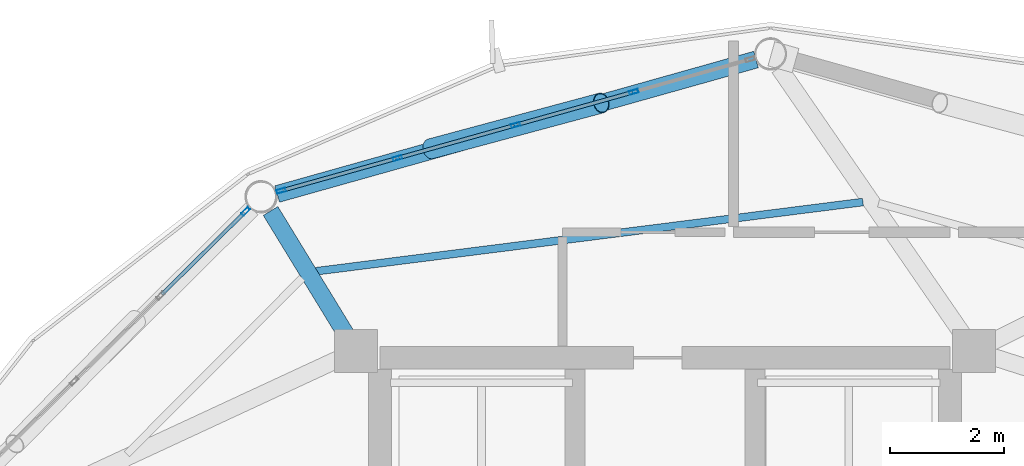
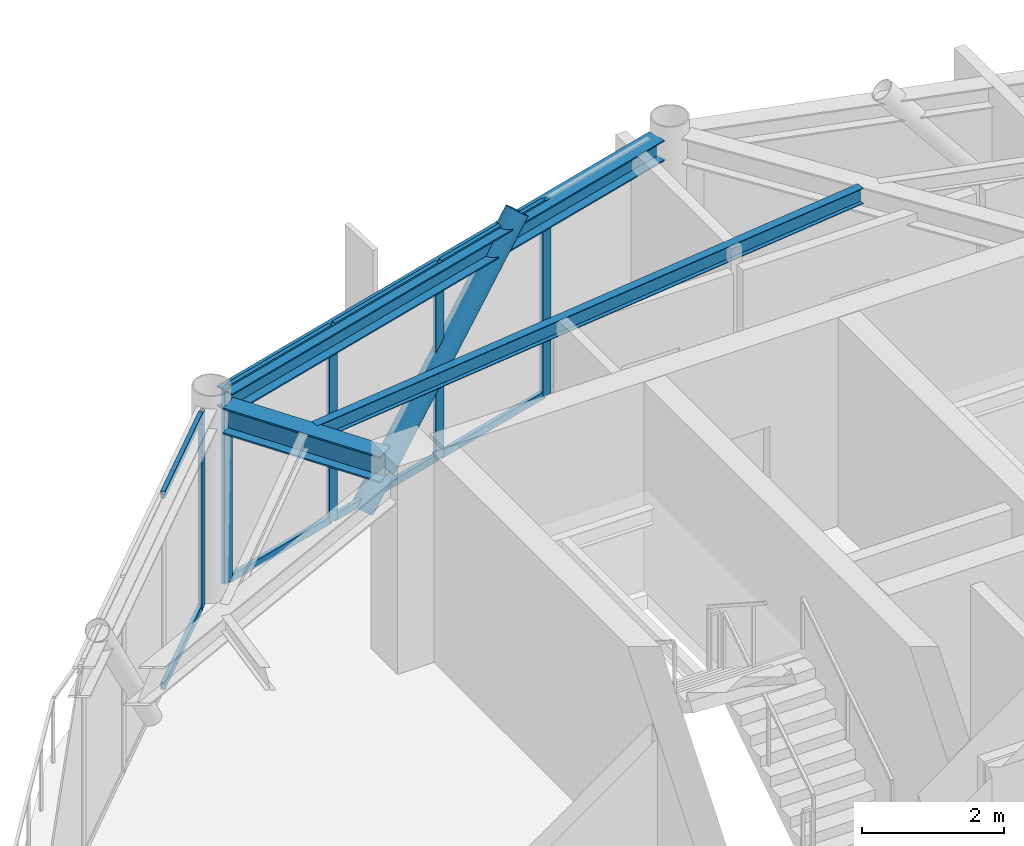
# One storey, part 16 of 24: 14 members, 3 beams, 2 elements without a shape of their own.
"""IFC4 building model written with IfcOpenShell, lengths in metres."""

from ifc_helpers import new_model, si_unit, direction, frame, origin, origin_2d, place, context, subcontext, project, spatial, hollow_rectangle, hollow_circle, i_section, extrude, material, layer, layer_set, material_profile, profile_set, type_object, element, aggregate, save


model = new_model("IFC4")

# Units and contexts
model_context = context("Model", 3, precision=1e-05, world=origin(), true_north=direction((0.0, 1.0)))
body_context = subcontext(model_context, "Body", "Model", "MODEL_VIEW")
ifc_project = project(units=[si_unit("LENGTHUNIT", "METRE"), si_unit("AREAUNIT", "SQUARE_METRE"), si_unit("VOLUMEUNIT", "CUBIC_METRE"), si_unit("PLANEANGLEUNIT", "RADIAN"), si_unit("MASSUNIT", "GRAM", prefix="KILO")], contexts=[model_context])

# Site, building, storey
site_placement = place(None, origin())
site = spatial("IfcSite", under=ifc_project, at=site_placement, CompositionType="ELEMENT")
building_placement = place(site_placement, origin())
building = spatial("IfcBuilding", under=site, at=building_placement, Name="Varnakorn Sky Granary", CompositionType="ELEMENT")
storey_placement = place(building_placement, frame((0.0, 0.0, 274.199951171875)))
storey = spatial("IfcBuildingStorey", under=building, at=storey_placement, Name="L70", CompositionType="ELEMENT", Elevation=274.199951171875)

# Beams
ifc_material_1 = material(Name="Steel S355JR", Category="steel")
ifc_material_profile_1 = material_profile(ifc_material_1, i_section(OverallWidth=0.300048828125, OverallDepth=0.449951171875, WebThickness=0.013916015625, FlangeThickness=0.02587890625, at=origin_2d()), Name="HE 450 B")
ifc_profile_set_1 = profile_set([ifc_material_profile_1], Name="Steel S355JR")
beam_type_1 = type_object("IfcBeamType", Name="BM-RAD-Z5", PredefinedType="BEAM", material=ifc_profile_set_1)
beam_1_placement = place(storey_placement, frame((-2.605224609375, 12.9228515625, 3.135009765625), z_axis=(-0.521681016606, 0.85314061966, 0.0), x_axis=(-0.85314061966, -0.521681016606, 0.0)))
element("IfcBeam", 1, at=beam_1_placement, inside=storey, type_object=beam_type_1, Name="Radial Floor Girder RG05 L70", PredefinedType="BEAM", context=body_context, shape_type="SweptSolid", body=[
    extrude(i_section(OverallWidth=0.300048828125, OverallDepth=0.449951171875, WebThickness=0.013916015625, FlangeThickness=0.02587890625, at=origin_2d()), origin(), (0.0, 0.0, 1.0), 2.52197265625),
])
ifc_material_profile_2 = material_profile(ifc_material_1, i_section(OverallWidth=0.135009765625, OverallDepth=0.27001953125, WebThickness=0.006591796875, FlangeThickness=0.01025390625, at=origin_2d()), Name="IPE 270")
ifc_profile_set_2 = profile_set([ifc_material_profile_2], Name="Steel S355JR")
beam_type_2 = type_object("IfcBeamType", Name="BM-SEC-Z5", PredefinedType="BEAM", material=ifc_profile_set_2)
beam_2_placement = place(storey_placement, frame((6.470458984375, 15.230712890625, 3.22509765625), z_axis=(-0.992085622315, -0.125563203191, 0.0), x_axis=(0.125563203191, -0.992085622315, 0.0)))
element("IfcBeam", 2, at=beam_2_placement, inside=storey, type_object=beam_type_2, Name="Secondary Floor Chord Beam MSB04 L70", PredefinedType="BEAM", context=body_context, shape_type="SweptSolid", body=[
    extrude(i_section(OverallWidth=0.135009765625, OverallDepth=0.27001953125, WebThickness=0.006591796875, FlangeThickness=0.01025390625, at=origin_2d()), origin(), (0.0, 0.0, 1.0), 9.67138671875),
])
ifc_material_profile_3 = material_profile(ifc_material_1, i_section(OverallWidth=0.300048828125, OverallDepth=0.360107421875, WebThickness=0.012451171875, FlangeThickness=0.0224609375, at=origin_2d()), Name="HE 360 B")
ifc_profile_set_3 = profile_set([ifc_material_profile_3], Name="Steel S355JR")
beam_type_3 = type_object("IfcBeamType", Name="BM-SPD-Z5", PredefinedType="SPANDREL", material=ifc_profile_set_3)
beam_3_placement = place(storey_placement, frame((4.595458984375, 17.73046875, 3.179931640625), z_axis=(-0.962757982461, -0.270364692976, 0.0), x_axis=(0.270364692976, -0.962757982461, 0.0)))
element("IfcBeam", 3, at=beam_3_placement, inside=storey, type_object=beam_type_3, Name="Perimeter Spandrel Ring Beam RB04 L70", PredefinedType="SPANDREL", context=body_context, shape_type="SweptSolid", body=[
    extrude(i_section(OverallWidth=0.300048828125, OverallDepth=0.360107421875, WebThickness=0.012451171875, FlangeThickness=0.0224609375, at=origin_2d()), origin(), (0.0, 0.0, 1.0), 8.724853515625),
])

# Curtain wall, members
ifc_material_2 = material(Name="Anodised Bronze Aluminium Alloy 6063-T6", Category="aluminium")
ifc_layer = layer(ifc_material_2, 0.159912109375, Name="Anodised Bronze Aluminium Alloy 6063-T6")
ifc_layer_set = layer_set([ifc_layer], Name="Anodised Bronze Aluminium Alloy 6063-T6")
curtain_wall_type = type_object("IfcCurtainWallType", Name="CW-OFF-1", PredefinedType="USERDEFINED", material=ifc_layer_set)
curtain_wall_1_placement = place(storey_placement, origin())
curtain_wall_1 = element("IfcCurtainWall", 4, at=curtain_wall_1_placement, inside=storey, type_object=curtain_wall_type, Name="Unitised Curtain Wall CW6 CW-L70-B04", ObjectType="CURTAIN WALL", PredefinedType="USERDEFINED")
ifc_material_profile_4 = material_profile(ifc_material_2, hollow_rectangle(XDim=0.06494140625, YDim=0.159912109375, WallThickness=0.00341796875, at=origin_2d()), Name="ALU MULL 65x160")
ifc_profile_set_4 = profile_set([ifc_material_profile_4], Name="Anodised Bronze Aluminium Alloy 6063-T6")
member_type_1 = type_object("IfcMemberType", Name="CW-OFF-1-MULL", PredefinedType="MULLION", material=ifc_profile_set_4)
member_1_placement = place(storey_placement, frame((-3.73486328125, 15.428955078125, 0.0), z_axis=(0.0, 0.0, 1.0), x_axis=(-0.269869481459, 0.962896911916, 0.0)))
member_1 = element("IfcMember", 5, at=member_1_placement, type_object=member_type_1, Name="CW6 mullion 1", PredefinedType="MULLION", context=body_context, shape_type="SweptSolid", body=[
    extrude(hollow_rectangle(XDim=0.06494140625, YDim=0.159912109375, WallThickness=0.00341796875, at=origin_2d()), origin(), (0.0, 0.0, 1.0), 3.360107421875),
])
member_2_placement = place(storey_placement, frame((-1.69384765625, 16.0009765625, 0.0), z_axis=(0.0, 0.0, 1.0), x_axis=(-0.269869481459, 0.962896911916, 0.0)))
member_2 = element("IfcMember", 6, at=member_2_placement, type_object=member_type_1, Name="CW6 mullion 2", PredefinedType="MULLION", context=body_context, shape_type="SweptSolid", body=[
    extrude(hollow_rectangle(XDim=0.06494140625, YDim=0.159912109375, WallThickness=0.00341796875, at=origin_2d()), origin(), (0.0, 0.0, 1.0), 3.360107421875),
])
member_3_placement = place(storey_placement, frame((0.37841796875, 16.581787109375, 0.0), z_axis=(0.0, 0.0, 1.0), x_axis=(-0.269869481459, 0.962896911916, 0.0)))
member_3 = element("IfcMember", 7, at=member_3_placement, type_object=member_type_1, Name="CW6 mullion 3", PredefinedType="MULLION", context=body_context, shape_type="SweptSolid", body=[
    extrude(hollow_rectangle(XDim=0.06494140625, YDim=0.159912109375, WallThickness=0.00341796875, at=origin_2d()), origin(), (0.0, 0.0, 1.0), 3.360107421875),
])
member_4_placement = place(storey_placement, frame((2.45068359375, 17.16259765625, 0.0), z_axis=(0.0, 0.0, 1.0), x_axis=(-0.269869481459, 0.962896911916, 0.0)))
member_4 = element("IfcMember", 8, at=member_4_placement, type_object=member_type_1, Name="CW6 mullion 4", PredefinedType="MULLION", context=body_context, shape_type="SweptSolid", body=[
    extrude(hollow_rectangle(XDim=0.06494140625, YDim=0.159912109375, WallThickness=0.00341796875, at=origin_2d()), origin(), (0.0, 0.0, 1.0), 3.360107421875),
])

# Curtain wall, member
curtain_wall_2_placement = place(storey_placement, origin())
curtain_wall_2 = element("IfcCurtainWall", 9, at=curtain_wall_2_placement, inside=storey, type_object=curtain_wall_type, Name="Unitised Curtain Wall CW6 CW-L70-B05", ObjectType="CURTAIN WALL", PredefinedType="USERDEFINED")
member_5_placement = place(storey_placement, frame((-4.357421875, 15.06689453125, 0.0), z_axis=(0.0, 0.0, 1.0), x_axis=(-0.703399020646, 0.710795200993, 0.0)))
member_5 = element("IfcMember", 10, at=member_5_placement, type_object=member_type_1, Name="CW6 mullion 5", PredefinedType="MULLION", context=body_context, shape_type="SweptSolid", body=[
    extrude(hollow_rectangle(XDim=0.06494140625, YDim=0.159912109375, WallThickness=0.00341796875, at=origin_2d()), origin(), (0.0, 0.0, 1.0), 3.360107421875),
])

# Member
ifc_material_profile_5 = material_profile(ifc_material_2, hollow_rectangle(XDim=0.06494140625, YDim=0.1201171875, WallThickness=0.00341796875, at=origin_2d()), Name="ALU TRAN 65x120")
ifc_profile_set_5 = profile_set([ifc_material_profile_5], Name="Anodised Bronze Aluminium Alloy 6063-T6")
member_type_2 = type_object("IfcMemberType", Name="CW-OFF-1-TRAN", PredefinedType="USERDEFINED", material=ifc_profile_set_5)
member_6_placement = place(storey_placement, frame((-3.70361328125, 15.437744140625, 0.032470703125), z_axis=(0.962905998442, 0.269837058547, 0.0), x_axis=(-0.269837058547, 0.962905998442, 0.0)))
member_6 = element("IfcMember", 11, at=member_6_placement, type_object=member_type_2, Name="CW6 transom 1.1", ObjectType="TRANSOM", PredefinedType="USERDEFINED", context=body_context, shape_type="SweptSolid", body=[
    extrude(hollow_rectangle(XDim=0.06494140625, YDim=0.1201171875, WallThickness=0.00341796875, at=origin_2d()), origin(), (0.0, 0.0, 1.0), 2.0546875),
])

member_7_placement = place(storey_placement, frame((-3.70361328125, 15.437744140625, 3.32763671875), z_axis=(0.962905998442, 0.269837058547, 0.0), x_axis=(-0.269837058547, 0.962905998442, 0.0)))
member_7 = element("IfcMember", 12, at=member_7_placement, type_object=member_type_2, Name="CW6 transom 1.2", ObjectType="TRANSOM", PredefinedType="USERDEFINED", context=body_context, shape_type="SweptSolid", body=[
    extrude(hollow_rectangle(XDim=0.06494140625, YDim=0.1201171875, WallThickness=0.00341796875, at=origin_2d()), origin(), (0.0, 0.0, 1.0), 2.0546875),
])

member_8_placement = place(storey_placement, frame((-1.66259765625, 16.009765625, 0.032470703125), z_axis=(0.96290203805, 0.269851190693, 0.0), x_axis=(-0.269851190693, 0.96290203805, 0.0)))
member_8 = element("IfcMember", 13, at=member_8_placement, type_object=member_type_2, Name="CW6 transom 2.1", ObjectType="TRANSOM", PredefinedType="USERDEFINED", context=body_context, shape_type="SweptSolid", body=[
    extrude(hollow_rectangle(XDim=0.06494140625, YDim=0.1201171875, WallThickness=0.00341796875, at=origin_2d()), origin(), (0.0, 0.0, 1.0), 2.087158203125),
])

member_9_placement = place(storey_placement, frame((-1.66259765625, 16.009765625, 3.32763671875), z_axis=(0.96290203805, 0.269851190693, 0.0), x_axis=(-0.269851190693, 0.96290203805, 0.0)))
member_9 = element("IfcMember", 14, at=member_9_placement, type_object=member_type_2, Name="CW6 transom 2.2", ObjectType="TRANSOM", PredefinedType="USERDEFINED", context=body_context, shape_type="SweptSolid", body=[
    extrude(hollow_rectangle(XDim=0.06494140625, YDim=0.1201171875, WallThickness=0.00341796875, at=origin_2d()), origin(), (0.0, 0.0, 1.0), 2.087158203125),
])

member_10_placement = place(storey_placement, frame((0.409912109375, 16.590576171875, 0.032470703125), z_axis=(0.962893518851, 0.269881587655, 0.0), x_axis=(-0.269881587655, 0.962893518851, 0.0)))
member_10 = element("IfcMember", 15, at=member_10_placement, type_object=member_type_2, Name="CW6 transom 3.1", ObjectType="TRANSOM", PredefinedType="USERDEFINED", context=body_context, shape_type="SweptSolid", body=[
    extrude(hollow_rectangle(XDim=0.06494140625, YDim=0.1201171875, WallThickness=0.00341796875, at=origin_2d()), origin(), (0.0, 0.0, 1.0), 2.0869140625),
])

member_11_placement = place(storey_placement, frame((0.409912109375, 16.590576171875, 3.32763671875), z_axis=(0.962893518851, 0.269881587655, 0.0), x_axis=(-0.269881587655, 0.962893518851, 0.0)))
member_11 = element("IfcMember", 16, at=member_11_placement, type_object=member_type_2, Name="CW6 transom 3.2", ObjectType="TRANSOM", PredefinedType="USERDEFINED", context=body_context, shape_type="SweptSolid", body=[
    extrude(hollow_rectangle(XDim=0.06494140625, YDim=0.1201171875, WallThickness=0.00341796875, at=origin_2d()), origin(), (0.0, 0.0, 1.0), 2.0869140625),
])

aggregate(curtain_wall_1, [member_1, member_2, member_3, member_4, member_6, member_7, member_8, member_9, member_10, member_11])

member_12_placement = place(storey_placement, frame((-5.8271484375, 13.6123046875, 0.032470703125), z_axis=(0.710696086051, 0.703499163661, 0.0), x_axis=(-0.703499163661, 0.710696086051, 0.0)))
member_12 = element("IfcMember", 17, at=member_12_placement, type_object=member_type_2, Name="CW6 transom 4.1", ObjectType="TRANSOM", PredefinedType="USERDEFINED", context=body_context, shape_type="SweptSolid", body=[
    extrude(hollow_rectangle(XDim=0.06494140625, YDim=0.1201171875, WallThickness=0.00341796875, at=origin_2d()), origin(), (0.0, 0.0, 1.0), 2.035400390625),
])

member_13_placement = place(storey_placement, frame((-5.8271484375, 13.6123046875, 3.32763671875), z_axis=(0.710696086051, 0.703499163661, 0.0), x_axis=(-0.703499163661, 0.710696086051, 0.0)))
member_13 = element("IfcMember", 18, at=member_13_placement, type_object=member_type_2, Name="CW6 transom 4.2", ObjectType="TRANSOM", PredefinedType="USERDEFINED", context=body_context, shape_type="SweptSolid", body=[
    extrude(hollow_rectangle(XDim=0.06494140625, YDim=0.1201171875, WallThickness=0.00341796875, at=origin_2d()), origin(), (0.0, 0.0, 1.0), 2.035400390625),
])

aggregate(curtain_wall_2, [member_5, member_12, member_13])

ifc_material_3 = material(Name="Steel S460M", Category="steel")
ifc_material_profile_6 = material_profile(ifc_material_3, hollow_circle(Radius=0.177734375, WallThickness=0.01416015625, at=origin_2d()), Name="CHS 355.6x14")
ifc_profile_set_6 = profile_set([ifc_material_profile_6], Name="Steel S460M")
member_type_3 = type_object("IfcMemberType", Name="MB-DIAG-T5", PredefinedType="BRACE", material=ifc_profile_set_6)
member_14_placement = place(storey_placement, frame((-1.112060546875, 16.1640625, -0.1298828125), z_axis=(0.628012860016, 0.168723696503, 0.759692149422), x_axis=(-0.259461995513, 0.965753318858, 0.0)))
element("IfcMember", 19, at=member_14_placement, inside=storey, type_object=member_type_3, Name="Perimeter CHS Diagrid Brace DG04 L70", PredefinedType="BRACE", context=body_context, shape_type="SweptSolid", body=[
    extrude(hollow_circle(Radius=0.177734375, WallThickness=0.01416015625, at=origin_2d()), origin(), (0.0, 0.0, 1.0), 4.764892578125),
])

save(model, "model.ifc")
